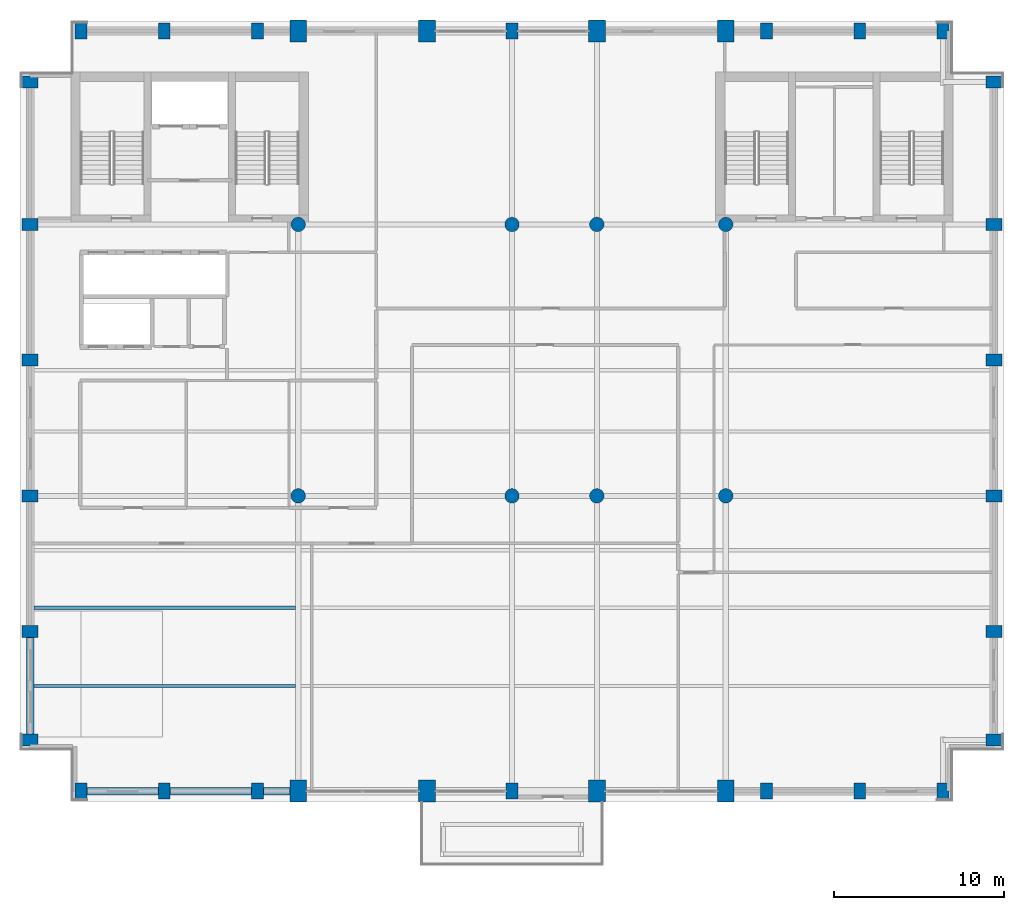
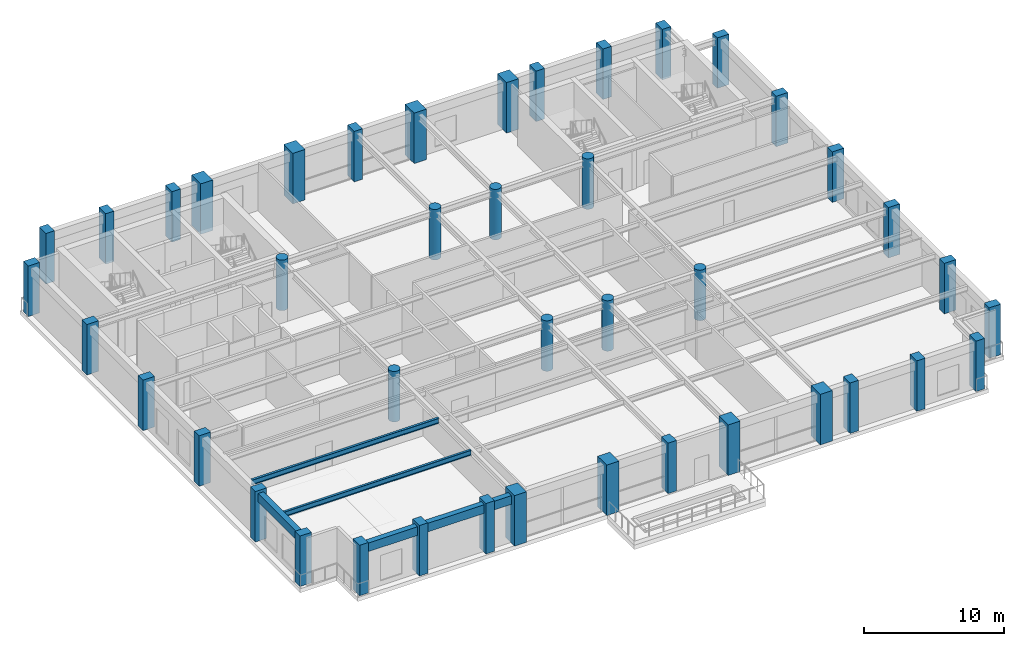
# One storey, part 1 of 13: 42 columns, 6 beams.
"""IFC4 building model written with IfcOpenShell, lengths in metres."""

from ifc_helpers import new_model, si_unit, direction, frame, origin, origin_2d, place, context, subcontext, project, spatial, rectangle, circle, i_section, extrude, material, material_profile, profile_set, type_object, element, save


model = new_model("IFC4")

# Units and contexts
model_context = context("Model", 3, precision=1e-05, world=origin(), true_north=direction((0.0, 1.0)))
body_context = subcontext(model_context, "Body", "Model", "MODEL_VIEW")
ifc_project = project(units=[si_unit("LENGTHUNIT", "METRE"), si_unit("AREAUNIT", "SQUARE_METRE"), si_unit("VOLUMEUNIT", "CUBIC_METRE"), si_unit("PLANEANGLEUNIT", "RADIAN"), si_unit("MASSUNIT", "GRAM", prefix="KILO")], contexts=[model_context])

# Site, building, storey
site_placement = place(None, origin())
site = spatial("IfcSite", under=ifc_project, at=site_placement, CompositionType="ELEMENT")
building_placement = place(site_placement, origin())
building = spatial("IfcBuilding", under=site, at=building_placement, Name="Sulina Concourse Tower", CompositionType="ELEMENT")
storey_placement = place(building_placement, frame((0.0, 0.0, 280.60009765625)))
storey = spatial("IfcBuildingStorey", under=building, at=storey_placement, Name="L68", CompositionType="ELEMENT", Elevation=280.60009765625)

# Columns
ifc_material_1 = material(Name="Precast concrete C50/60", Category="concrete")
ifc_material_profile_1 = material_profile(ifc_material_1, rectangle(XDim=0.699951171875, YDim=0.949951171875, at=origin_2d()), Name="PC 700x950")
ifc_profile_set_1 = profile_set([ifc_material_profile_1], Name="Precast concrete C50/60")
column_type_1 = type_object("IfcColumnType", Name="Precast Tube Pier Zone 5 700x950", PredefinedType="COLUMN", material=ifc_profile_set_1)
for number, where, z_axis, x_axis, name in (
    (1, (3.60009765625, 0.60009765625, 0.0), (0.0, 0.0, 1.0), (1.0, 0.0, 0.0), "L68 structural column TP-S-36"),
    (2, (3.60009765625, 45.39990234375, 0.0), (0.0, 0.0, 1.0), (1.0, 0.0, 0.0), "L68 structural column TP-N-36"),
    (3, (8.5, 0.60009765625, 0.0), (0.0, 0.0, 1.0), (1.0, 0.0, 0.0), "L68 structural column TP-S-85"),
    (4, (8.5, 45.39990234375, 0.0), (0.0, 0.0, 1.0), (1.0, 0.0, 0.0), "L68 structural column TP-N-85"),
    (5, (14.0, 0.60009765625, 0.0), (0.0, 0.0, 1.0), (1.0, 0.0, 0.0), "L68 structural column TP-S-140"),
    (6, (14.0, 45.39990234375, 0.0), (0.0, 0.0, 1.0), (1.0, 0.0, 0.0), "L68 structural column TP-N-140"),
    (7, (29.0, 0.60009765625, 0.0), (0.0, 0.0, 1.0), (1.0, 0.0, 0.0), "L68 structural column TP-S-290"),
    (8, (29.0, 45.39990234375, 0.0), (0.0, 0.0, 1.0), (1.0, 0.0, 0.0), "L68 structural column TP-N-290"),
    (9, (44.0, 0.60009765625, 0.0), (0.0, 0.0, 1.0), (1.0, 0.0, 0.0), "L68 structural column TP-S-440"),
    (10, (44.0, 45.39990234375, 0.0), (0.0, 0.0, 1.0), (1.0, 0.0, 0.0), "L68 structural column TP-N-440"),
    (11, (49.5, 0.60009765625, 0.0), (0.0, 0.0, 1.0), (1.0, 0.0, 0.0), "L68 structural column TP-S-495"),
    (12, (49.5, 45.39990234375, 0.0), (0.0, 0.0, 1.0), (1.0, 0.0, 0.0), "L68 structural column TP-N-495"),
    (13, (54.39990234375, 0.60009765625, 0.0), (0.0, 0.0, 1.0), (1.0, 0.0, 0.0), "L68 structural column TP-S-544"),
    (14, (54.39990234375, 45.39990234375, 0.0), (0.0, 0.0, 1.0), (1.0, 0.0, 0.0), "L68 structural column TP-N-544"),
    (15, (0.60009765625, 3.60009765625, 0.0), (0.0, 0.0, 1.0), (0.0, 1.0, 0.0), "L68 structural column TP-W-36"),
    (16, (57.39990234375, 3.60009765625, 0.0), (0.0, 0.0, 1.0), (0.0, 1.0, 0.0), "L68 structural column TP-E-36"),
    (17, (0.60009765625, 10.0, 0.0), (0.0, 0.0, 1.0), (0.0, 1.0, 0.0), "L68 structural column TP-W-100"),
    (18, (57.39990234375, 10.0, 0.0), (0.0, 0.0, 1.0), (0.0, 1.0, 0.0), "L68 structural column TP-E-100"),
    (19, (0.60009765625, 18.0, 0.0), (0.0, 0.0, 1.0), (0.0, 1.0, 0.0), "L68 structural column TP-W-180"),
    (20, (57.39990234375, 18.0, 0.0), (0.0, 0.0, 1.0), (0.0, 1.0, 0.0), "L68 structural column TP-E-180"),
    (21, (0.60009765625, 26.0, 0.0), (0.0, 0.0, 1.0), (0.0, 1.0, 0.0), "L68 structural column TP-W-260"),
    (22, (57.39990234375, 26.0, 0.0), (0.0, 0.0, 1.0), (0.0, 1.0, 0.0), "L68 structural column TP-E-260"),
    (23, (0.60009765625, 34.0, 0.0), (0.0, 0.0, 1.0), (0.0, 1.0, 0.0), "L68 structural column TP-W-340"),
    (24, (57.39990234375, 34.0, 0.0), (0.0, 0.0, 1.0), (0.0, 1.0, 0.0), "L68 structural column TP-E-340"),
    (25, (0.60009765625, 42.39990234375, 0.0), (0.0, 0.0, 1.0), (0.0, 1.0, 0.0), "L68 structural column TP-W-424"),
    (26, (57.39990234375, 42.39990234375, 0.0), (0.0, 0.0, 1.0), (0.0, 1.0, 0.0), "L68 structural column TP-E-424"),
):
    element("IfcColumn", number, at=place(storey_placement, frame(where, z_axis=z_axis, x_axis=x_axis)), inside=storey, type_object=column_type_1, Name=name, PredefinedType="COLUMN", context=body_context, shape_type="SweptSolid", body=[
        extrude(rectangle(XDim=0.699951171875, YDim=0.949951171875, at=origin_2d()), origin(), (0.0, 0.0, 1.0), 4.39990234375),
    ])
ifc_material_2 = material(Name="Concrete C50/60", Category="concrete")
ifc_material_profile_2 = material_profile(ifc_material_2, circle(Radius=0.425048828125, at=origin_2d()), Name="RC D850")
ifc_profile_set_2 = profile_set([ifc_material_profile_2], Name="Concrete C50/60")
column_type_2 = type_object("IfcColumnType", Name="Upper Interior Circular Column D850", PredefinedType="COLUMN", material=ifc_profile_set_2)
for number, where, z_axis, x_axis, name in (
    (27, (16.39990234375, 18.0, 0.0), (0.0, 0.0, 1.0), (1.0, 0.0, 0.0), "L68 structural column IC-M-164"),
    (28, (16.39990234375, 34.0, 0.0), (0.0, 0.0, 1.0), (1.0, 0.0, 0.0), "L68 structural column IC-N-164"),
    (29, (29.0, 18.0, 0.0), (0.0, 0.0, 1.0), (1.0, 0.0, 0.0), "L68 structural column IC-M-290"),
    (30, (29.0, 34.0, 0.0), (0.0, 0.0, 1.0), (1.0, 0.0, 0.0), "L68 structural column IC-N-290"),
    (31, (41.60009765625, 18.0, 0.0), (0.0, 0.0, 1.0), (1.0, 0.0, 0.0), "L68 structural column IC-M-416"),
    (32, (41.60009765625, 34.0, 0.0), (0.0, 0.0, 1.0), (1.0, 0.0, 0.0), "L68 structural column IC-N-416"),
    (33, (34.0, 18.0, 0.0), (0.0, 0.0, 1.0), (1.0, 0.0, 0.0), "L68 structural column IC-M-340"),
    (34, (34.0, 34.0, 0.0), (0.0, 0.0, 1.0), (1.0, 0.0, 0.0), "L68 structural column IC-N-340"),
):
    element("IfcColumn", number, at=place(storey_placement, frame(where, z_axis=z_axis, x_axis=x_axis)), inside=storey, type_object=column_type_2, Name=name, PredefinedType="COLUMN", context=body_context, shape_type="SweptSolid", body=[
        extrude(circle(Radius=0.425048828125, at=origin_2d()), origin(), (0.0, 0.0, 1.0), 4.39990234375),
    ])
ifc_material_3 = material(Name="Concrete C60/75", Category="concrete")
ifc_material_profile_3 = material_profile(ifc_material_3, rectangle(XDim=1.0, YDim=1.300048828125, at=origin_2d()), Name="RC 1000x1300")
ifc_profile_set_3 = profile_set([ifc_material_profile_3], Name="Concrete C60/75")
column_type_3 = type_object("IfcColumnType", Name="Upper Portal Column 1000x1300", PredefinedType="COLUMN", material=ifc_profile_set_3)
for number, where, z_axis, x_axis, name in (
    (35, (16.39990234375, 0.60009765625, 0.0), (0.0, 0.0, 1.0), (1.0, 0.0, 0.0), "L68 structural column TP-S-164"),
    (36, (16.39990234375, 45.39990234375, 0.0), (0.0, 0.0, 1.0), (1.0, 0.0, 0.0), "L68 structural column TP-N-164"),
    (37, (24.0, 0.60009765625, 0.0), (0.0, 0.0, 1.0), (1.0, 0.0, 0.0), "L68 structural column TP-S-240"),
    (38, (24.0, 45.39990234375, 0.0), (0.0, 0.0, 1.0), (1.0, 0.0, 0.0), "L68 structural column TP-N-240"),
    (39, (34.0, 0.60009765625, 0.0), (0.0, 0.0, 1.0), (1.0, 0.0, 0.0), "L68 structural column TP-S-340"),
    (40, (34.0, 45.39990234375, 0.0), (0.0, 0.0, 1.0), (1.0, 0.0, 0.0), "L68 structural column TP-N-340"),
    (41, (41.60009765625, 0.60009765625, 0.0), (0.0, 0.0, 1.0), (1.0, 0.0, 0.0), "L68 structural column TP-S-416"),
    (42, (41.60009765625, 45.39990234375, 0.0), (0.0, 0.0, 1.0), (1.0, 0.0, 0.0), "L68 structural column TP-N-416"),
):
    element("IfcColumn", number, at=place(storey_placement, frame(where, z_axis=z_axis, x_axis=x_axis)), inside=storey, type_object=column_type_3, Name=name, PredefinedType="COLUMN", context=body_context, shape_type="SweptSolid", body=[
        extrude(rectangle(XDim=1.0, YDim=1.300048828125, at=origin_2d()), origin(), (0.0, 0.0, 1.0), 4.39990234375),
    ])

# Beams
ifc_material_4 = material(Name="Steel S355", Category="steel")
ifc_material_profile_4 = material_profile(ifc_material_4, i_section(OverallWidth=0.18994140625, OverallDepth=0.449951171875, WebThickness=0.009521484375, FlangeThickness=0.0146484375, at=origin_2d()), Name="IPE 450")
ifc_profile_set_4 = profile_set([ifc_material_profile_4], Name="Steel S355")
beam_type_1 = type_object("IfcBeamType", Name="Composite Floor Joist IPE450", PredefinedType="JOIST", material=ifc_profile_set_4)
for number, where, z_axis, x_axis, name in (
    (43, (0.824951171875, 6.800048828125, 3.9248046875), (1.0, 0.0, 0.0), (0.0, 1.0, 0.0), "FJ-J06-1-L68"),
    (44, (0.824951171875, 11.39990234375, 3.9248046875), (1.0, 0.0, 0.0), (0.0, 1.0, 0.0), "FJ-J11-1-L68"),
):
    element("IfcBeam", number, at=place(storey_placement, frame(where, z_axis=z_axis, x_axis=x_axis)), inside=storey, type_object=beam_type_1, Name=name, PredefinedType="JOIST", context=body_context, shape_type="SweptSolid", body=[
        extrude(i_section(OverallWidth=0.18994140625, OverallDepth=0.449951171875, WebThickness=0.009521484375, FlangeThickness=0.0146484375, at=origin_2d()), origin(), (0.0, 0.0, 1.0), 15.425048828125),
    ])
ifc_material_5 = material(Name="Precast concrete C50/60", Category="concrete")
ifc_material_profile_5 = material_profile(ifc_material_5, rectangle(XDim=0.449951171875, YDim=0.75, at=origin_2d()), Name="RC 450x750")
ifc_profile_set_5 = profile_set([ifc_material_profile_5], Name="Precast concrete C50/60")
beam_type_2 = type_object("IfcBeamType", Name="Upper Precast Spandrel Edge Beam 450x750", PredefinedType="BEAM", material=ifc_profile_set_5)
beam_1_placement = place(storey_placement, frame((3.929931640625, 0.60009765625, 3.77490234375), z_axis=(1.0, 0.0, 0.0), x_axis=(0.0, 1.0, 0.0)))
element("IfcBeam", 45, at=beam_1_placement, inside=storey, type_object=beam_type_2, Name="SP-S1-L68", PredefinedType="BEAM", context=body_context, shape_type="SweptSolid", body=[
    extrude(rectangle(XDim=0.449951171875, YDim=0.75, at=origin_2d()), origin(), (0.0, 0.0, 1.0), 4.239990234375),
])
beam_2_placement = place(storey_placement, frame((8.830078125, 0.60009765625, 3.77490234375), z_axis=(1.0, 0.0, 0.0), x_axis=(0.0, 1.0, 0.0)))
element("IfcBeam", 46, at=beam_2_placement, inside=storey, type_object=beam_type_2, Name="SP-S2-L68", PredefinedType="BEAM", context=body_context, shape_type="SweptSolid", body=[
    extrude(rectangle(XDim=0.449951171875, YDim=0.75, at=origin_2d()), origin(), (0.0, 0.0, 1.0), 4.83984375),
])
beam_3_placement = place(storey_placement, frame((14.330078125, 0.60009765625, 3.77490234375), z_axis=(1.0, 0.0, 0.0), x_axis=(0.0, 1.0, 0.0)))
element("IfcBeam", 47, at=beam_3_placement, inside=storey, type_object=beam_type_2, Name="SP-S3-L68", PredefinedType="BEAM", context=body_context, shape_type="SweptSolid", body=[
    extrude(rectangle(XDim=0.449951171875, YDim=0.75, at=origin_2d()), origin(), (0.0, 0.0, 1.0), 1.58984375),
])
beam_4_placement = place(storey_placement, frame((0.60009765625, 3.929931640625, 3.77490234375), z_axis=(0.0, 1.0, 0.0), x_axis=(-1.0, 0.0, 0.0)))
element("IfcBeam", 48, at=beam_4_placement, inside=storey, type_object=beam_type_2, Name="SP-W1-L68", PredefinedType="BEAM", context=body_context, shape_type="SweptSolid", body=[
    extrude(rectangle(XDim=0.449951171875, YDim=0.75, at=origin_2d()), origin(), (0.0, 0.0, 1.0), 5.739990234375),
])

save(model, "model.ifc")
